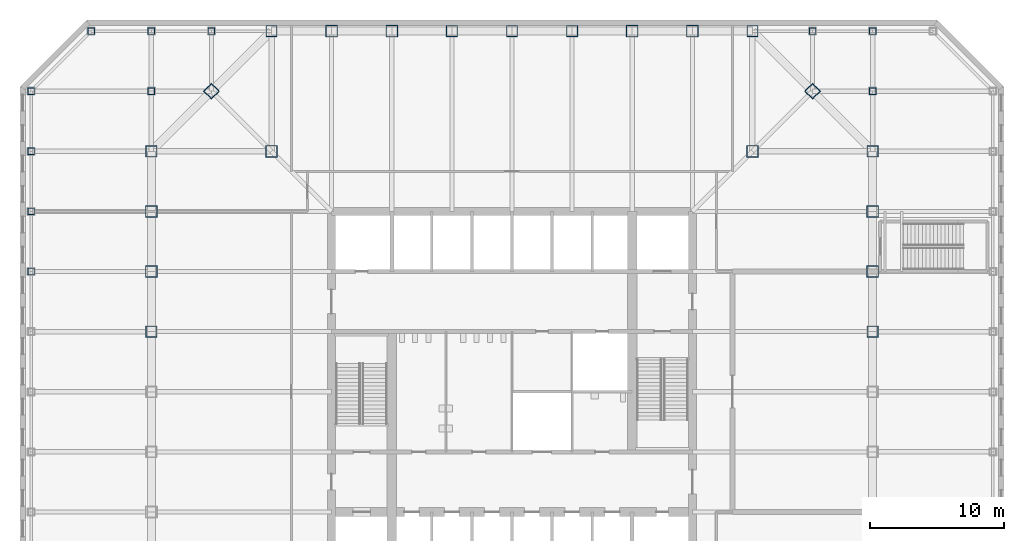
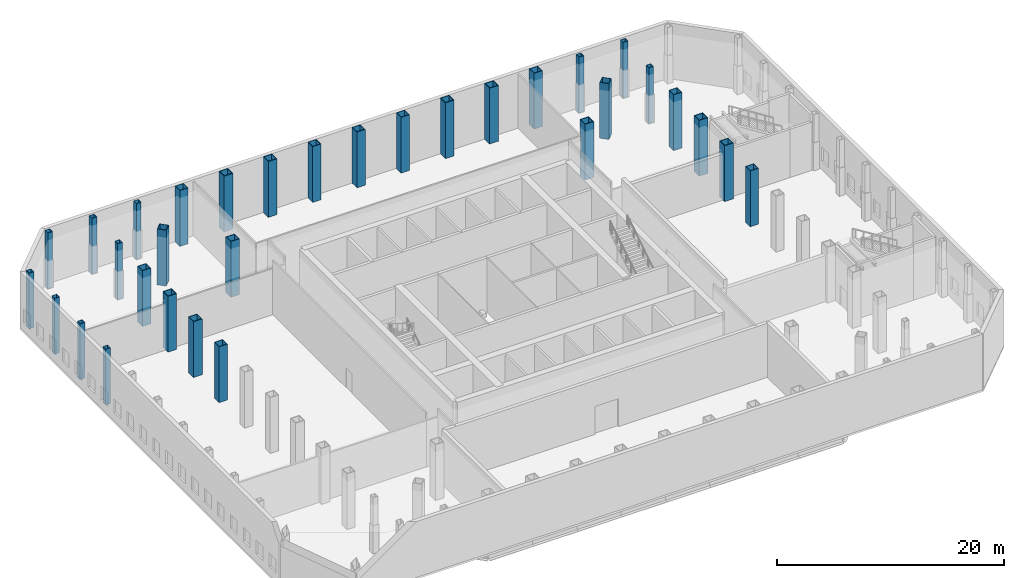
# One storey, part 2 of 13: 32 columns.
"""IFC4 building model written with IfcOpenShell, lengths in metres."""

import ifcopenshell
import ifcopenshell.guid

model = None  # the IFC model being written
_history = None  # IfcOwnerHistory: only IFC2X3 demands one
_inside = {}  # id of a spatial element -> (the spatial element, [elements in it])
_under = {}  # id of a project, library or spatial element -> (it, [spatial elements below it])
_declared = {}  # id of a project -> (the project, [libraries it declares])
_typed = {}  # id of a type object -> (the type object, [elements of that type])
_made_of = {}  # id of a material, layer set ... -> (it, [elements and type objects made of it])


def new_model(schema):
    """Start an empty IFC model of exactly this schema.

    Asked for "IFC4X3", IfcOpenShell would pick the latest addendum, in which some entities
    have other attributes; the version numbers below select the first issue.
    IFC2X3 requires an IfcOwnerHistory on every rooted entity: one is made here for all.
    """
    global model, _history
    if schema == "IFC4X3":
        model = ifcopenshell.file(schema_version=(4, 3, 0, 0))
    else:
        model = ifcopenshell.file(schema=schema)
    _inside.clear()
    _under.clear()
    _declared.clear()
    _typed.clear()
    _made_of.clear()
    _history = None
    if model.schema == "IFC2X3":
        org = make("IfcOrganization", Name="unknown")
        user = make(
            "IfcPersonAndOrganization",
            ThePerson=make("IfcPerson", FamilyName="unknown"),
            TheOrganization=org,
        )
        app = make(
            "IfcApplication",
            ApplicationDeveloper=org,
            Version="unknown",
            ApplicationFullName="unknown",
            ApplicationIdentifier="unknown",
        )
        _history = make(
            "IfcOwnerHistory",
            OwningUser=user,
            OwningApplication=app,
            ChangeAction="ADDED",
            CreationDate=0,
        )
    return model


def make(cls, **values):
    """One entity of the class cls with the attributes given. An attribute that is None is left unset."""
    return model.create_entity(
        cls, **{name: value for name, value in values.items() if value is not None}
    )


def rooted(cls, **values):
    """An entity with a GlobalId (a new one), such as an element, a storey or a relation."""
    return make(cls, GlobalId=ifcopenshell.guid.new(), OwnerHistory=_history, **values)


def si_unit(unit_type, name, prefix=None):
    """IfcSIUnit, for example si_unit("LENGTHUNIT", "METRE", prefix="MILLI")."""
    return make("IfcSIUnit", UnitType=unit_type, Prefix=prefix, Name=name)


def assignment(units):
    """IfcUnitAssignment: the units of a project."""
    return None if units is None else make("IfcUnitAssignment", Units=units)


def point(xyz):
    """IfcCartesianPoint."""
    return None if xyz is None else make("IfcCartesianPoint", Coordinates=xyz)


def direction(xyz):
    """IfcDirection."""
    return None if xyz is None else make("IfcDirection", DirectionRatios=xyz)


def frame(location, z_axis=None, x_axis=None):
    """IfcAxis2Placement3D, a coordinate frame: its origin and axes. An axis left out is left unset."""
    return make(
        "IfcAxis2Placement3D",
        Location=point(location),
        Axis=direction(z_axis),
        RefDirection=direction(x_axis),
    )


def frame_2d(location, x_axis=None):
    """IfcAxis2Placement2D, a coordinate frame in the plane: its origin and x axis."""
    return make(
        "IfcAxis2Placement2D", Location=point(location), RefDirection=direction(x_axis)
    )


def origin():
    """The frame at (0, 0, 0) with its axes left unset."""
    return frame((0.0, 0.0, 0.0))


def origin_2d():
    """The frame at (0, 0) in the plane with its x axis left unset."""
    return frame_2d((0.0, 0.0))


def place(relative_to, where):
    """IfcLocalPlacement: puts the frame where relative to a parent placement (None: the world)."""
    return make(
        "IfcLocalPlacement", PlacementRelTo=relative_to, RelativePlacement=where
    )


def context(
    kind, dimensions, precision=None, world=None, true_north=None, identifier=None
):
    """IfcGeometricRepresentationContext, for example the 3D "Model" context."""
    return make(
        "IfcGeometricRepresentationContext",
        ContextIdentifier=identifier,
        ContextType=kind,
        CoordinateSpaceDimension=dimensions,
        Precision=precision,
        WorldCoordinateSystem=world,
        TrueNorth=true_north,
    )


def subcontext(parent, identifier, kind, view, scale=None):
    """IfcGeometricRepresentationSubContext, for example "Body" below "Model"."""
    return make(
        "IfcGeometricRepresentationSubContext",
        ContextIdentifier=identifier,
        ContextType=kind,
        ParentContext=parent,
        TargetScale=scale,
        TargetView=view,
    )


def project(units=None, contexts=None):
    """IfcProject with its units and contexts."""
    return rooted(
        "IfcProject",
        Name="project",
        RepresentationContexts=contexts,
        UnitsInContext=assignment(units),
    )


def spatial(cls, under=None, at=None, **own):
    """A site, building, storey or space (cls), placed at a placement, below another one or the project."""
    s = rooted(cls, ObjectPlacement=at, **own)
    if under is not None:
        _under.setdefault(under.id(), (under, []))[1].append(s)
    return s


def profile(cls, at=None, kind="AREA", **sizes):
    """A parametric profile (cls). Its sizes go by their IFC names, for example OverallWidth=200.0."""
    return make(cls, ProfileType=kind, Position=at, **sizes)


def hollow_rectangle(**sizes):
    """IfcRectangleHollowProfileDef."""
    return profile("IfcRectangleHollowProfileDef", **sizes)


def extrude(swept, where, along, depth):
    """IfcExtrudedAreaSolid: the profile swept, set in the frame where, extruded along a direction by depth."""
    return make(
        "IfcExtrudedAreaSolid",
        SweptArea=swept,
        Position=where,
        ExtrudedDirection=direction(along),
        Depth=depth,
    )


def shape(context_of_items, identifier, shape_type, items):
    """IfcShapeRepresentation: the items that make up one representation, for example the "Body"."""
    return make(
        "IfcShapeRepresentation",
        ContextOfItems=context_of_items,
        RepresentationIdentifier=identifier,
        RepresentationType=shape_type,
        Items=items,
    )


def material(Name=None, Category=None):
    """IfcMaterial."""
    return make("IfcMaterial", Name=Name, Category=Category)


def material_profile(
    of_material, cross_section, Name=None, Category=None, Priority=None
):
    """IfcMaterialProfile: a cross section and its material."""
    return make(
        "IfcMaterialProfile",
        Name=Name,
        Material=of_material,
        Profile=cross_section,
        Priority=Priority,
        Category=Category,
    )


def profile_set(profiles, Name=None, composite=None):
    """IfcMaterialProfileSet."""
    return make(
        "IfcMaterialProfileSet",
        Name=Name,
        MaterialProfiles=profiles,
        CompositeProfile=composite,
    )


def made_of(thing, what):
    """Note that an element or type object is made of a material, layer set ...; save() writes the relation."""
    if what is not None:
        _made_of.setdefault(what.id(), (what, []))[1].append(thing)
    return thing


def type_object(cls, material=None, **own):
    """A type object (cls), such as IfcWallType, which elements share."""
    return made_of(rooted(cls, **own), material)


def element(
    cls,
    number,
    at=None,
    inside=None,
    cuts=None,
    type_object=None,
    material=None,
    context=None,
    identifier="Body",
    shape_type=None,
    held_by="IfcProductDefinitionShape",
    body=None,
    shapes=None,
    **own,
):
    """One element of the class cls, such as IfcWall. Its Tag is "e" and its number.

    at: its placement. inside: the storey or other place that contains it. cuts: it is an
    opening in that element (IfcRelVoidsElement). A single representation is given by context,
    identifier, shape_type and body (its items); several are given by shapes. held_by: the class
    of the entity that holds the representations. save() writes the other relations.
    """
    e = rooted(cls, Tag="e%d" % number, ObjectPlacement=at, **own)
    if body is not None:
        shapes = [shape(context, identifier, shape_type, body)]
    if shapes is not None:
        e.Representation = make(held_by, Representations=shapes)
    if inside is not None:
        _inside.setdefault(inside.id(), (inside, []))[1].append(e)
    if cuts is not None:
        rooted(
            "IfcRelVoidsElement", RelatingBuildingElement=cuts, RelatedOpeningElement=e
        )
    if type_object is not None:
        _typed.setdefault(type_object.id(), (type_object, []))[1].append(e)
    return made_of(e, material)


def aggregate(whole, parts):
    """IfcRelAggregates: a whole, such as a stair, and the parts it consists of."""
    return rooted("IfcRelAggregates", RelatingObject=whole, RelatedObjects=parts)


def save(model, path):
    """Write the relations noted so far, then the file.

    IfcRelAggregates (storeys below a building ...), IfcRelContainedInSpatialStructure (elements
    in a storey), IfcRelDefinesByType, IfcRelAssociatesMaterial and IfcRelDeclares: one each for
    every whole, place, type object, material and project.
    """
    for whole, parts in _under.values():
        aggregate(whole, parts)
    for where, things in _inside.values():
        rooted(
            "IfcRelContainedInSpatialStructure",
            RelatedElements=things,
            RelatingStructure=where,
        )
    for kind, things in _typed.values():
        rooted("IfcRelDefinesByType", RelatedObjects=things, RelatingType=kind)
    for what, things in _made_of.values():
        rooted("IfcRelAssociatesMaterial", RelatedObjects=things, RelatingMaterial=what)
    for by, libraries in _declared.values():
        rooted("IfcRelDeclares", RelatingContext=by, RelatedDefinitions=libraries)
    model.write(path)


model = new_model("IFC4")

# Units and contexts
model_context = context("Model", 3, precision=1e-05, world=origin(), true_north=direction((0.0, 1.0)))
body_context = subcontext(model_context, "Body", "Model", "MODEL_VIEW")
ifc_project = project(units=[si_unit("LENGTHUNIT", "METRE"), si_unit("AREAUNIT", "SQUARE_METRE"), si_unit("VOLUMEUNIT", "CUBIC_METRE"), si_unit("PLANEANGLEUNIT", "RADIAN"), si_unit("MASSUNIT", "GRAM", prefix="KILO")], contexts=[model_context])

# Site, building, storey
site_placement = place(None, origin())
site = spatial("IfcSite", under=ifc_project, at=site_placement, CompositionType="ELEMENT")
building_placement = place(site_placement, origin())
building = spatial("IfcBuilding", under=site, at=building_placement, Name="Corais Broadcast Tower", CompositionType="ELEMENT")
storey_placement = place(building_placement, frame((0.0, 0.0, 12.0)))
storey = spatial("IfcBuildingStorey", under=building, at=storey_placement, Name="L02", CompositionType="ELEMENT", Elevation=12.0)

# Columns
ifc_material_1 = material(Name="Steel ASTM A572 Grade 50", Category="steel")
ifc_material_profile_1 = material_profile(ifc_material_1, hollow_rectangle(XDim=0.5, YDim=0.5, WallThickness=0.02197265625, at=origin_2d()), Name="BOX 500x500x22")
ifc_profile_set_1 = profile_set([ifc_material_profile_1], Name="Steel ASTM A572 Grade 50")
column_type_1 = type_object("IfcColumnType", Name="Column BOX 500x500x22", PredefinedType="COLUMN", material=ifc_profile_set_1)
for number, where, z_axis, x_axis, name in (
    (1, (-9.0, 36.0, 0.0), (0.0, 0.0, 1.0), (1.0, 0.0, 0.0), "C9 J/1"),
    (2, (-9.0, 40.5, 0.0), (0.0, 0.0, 1.0), (1.0, 0.0, 0.0), "C9 K/1"),
    (3, (-9.0, 45.0, 0.0), (0.0, 0.0, 1.0), (1.0, 0.0, 0.0), "C9 L/1"),
    (4, (-9.0, 49.5, 0.0), (0.0, 0.0, 1.0), (1.0, 0.0, 0.0), "C9 M/1"),
    (5, (-4.5, 54.0, 0.0), (0.0, 0.0, 1.0), (1.0, 0.0, 0.0), "C9 N/2"),
    (6, (54.0, 54.0, 0.0), (0.0, 0.0, 1.0), (1.0, 0.0, 0.0), "C9 N/15"),
    (7, (49.5, 54.0, 0.0), (0.0, 0.0, 1.0), (1.0, 0.0, 0.0), "C9 N/14"),
    (8, (54.0, 49.5, 0.0), (0.0, 0.0, 1.0), (1.0, 0.0, 0.0), "C9 M/15"),
    (9, (0.0, 54.0, 0.0), (0.0, 0.0, 1.0), (1.0, 0.0, 0.0), "C9 N/3"),
    (10, (4.5, 54.0, 0.0), (0.0, 0.0, 1.0), (1.0, 0.0, 0.0), "C9 N/4"),
    (11, (0.0, 49.5, 0.0), (0.0, 0.0, 1.0), (1.0, 0.0, 0.0), "C9 M/3"),
):
    element("IfcColumn", number, at=place(storey_placement, frame(where, z_axis=z_axis, x_axis=x_axis)), inside=storey, type_object=column_type_1, Name=name, PredefinedType="COLUMN", context=body_context, shape_type="SweptSolid", body=[
        extrude(hollow_rectangle(XDim=0.5, YDim=0.5, WallThickness=0.02197265625, at=origin_2d()), origin(), (0.0, 0.0, 1.0), 6.0),
    ])
ifc_material_2 = material(Name="Steel ASTM A572 Grade 50", Category="steel")
ifc_material_profile_2 = material_profile(ifc_material_2, hollow_rectangle(XDim=0.85009765625, YDim=0.85009765625, WallThickness=0.050048828125, at=origin_2d()), Name="BOX 850x850x50")
ifc_profile_set_2 = profile_set([ifc_material_profile_2], Name="Steel ASTM A572 Grade 50")
column_type_2 = type_object("IfcColumnType", Name="Column BOX 850x850x50", PredefinedType="COLUMN", material=ifc_profile_set_2)
for number, where, z_axis, x_axis, name in (
    (12, (54.0, 31.5, 0.0), (0.0, 0.0, 1.0), (1.0, 0.0, 0.0), "C1 H/15"),
    (13, (54.0, 45.0, 0.0), (0.0, 0.0, 1.0), (1.0, 0.0, 0.0), "C1 L/15"),
    (14, (45.0, 54.0, 0.0), (0.0, 0.0, 1.0), (1.0, 0.0, 0.0), "C1 N/13"),
    (15, (31.5, 54.0, 0.0), (0.0, 0.0, 1.0), (1.0, 0.0, 0.0), "C1 N/10"),
    (16, (27.0, 54.0, 0.0), (0.0, 0.0, 1.0), (1.0, 0.0, 0.0), "C1 N/9"),
    (17, (22.5, 54.0, 0.0), (0.0, 0.0, 1.0), (1.0, 0.0, 0.0), "C1 N/8"),
    (18, (9.0, 54.0, 0.0), (0.0, 0.0, 1.0), (1.0, 0.0, 0.0), "C1 N/5"),
    (19, (0.0, 45.0, 0.0), (0.0, 0.0, 1.0), (1.0, 0.0, 0.0), "C1 L/3"),
    (20, (0.0, 31.5, 0.0), (0.0, 0.0, 1.0), (1.0, 0.0, 0.0), "C1 H/3"),
    (21, (49.5, 49.5, 0.0), (0.0, 0.0, 1.0), (0.707106781187, 0.707106781187, 0.0), "C1 M/14"),
    (22, (4.5, 49.5, 0.0), (0.0, 0.0, 1.0), (0.707106781187, 0.707106781187, 0.0), "C1 M/4"),
):
    element("IfcColumn", number, at=place(storey_placement, frame(where, z_axis=z_axis, x_axis=x_axis)), inside=storey, type_object=column_type_2, Name=name, PredefinedType="COLUMN", context=body_context, shape_type="SweptSolid", body=[
        extrude(hollow_rectangle(XDim=0.85009765625, YDim=0.85009765625, WallThickness=0.050048828125, at=origin_2d()), origin(), (0.0, 0.0, 1.0), 6.0),
    ])
ifc_material_3 = material(Name="Steel ASTM A572 Grade 50", Category="steel")
ifc_material_profile_3 = material_profile(ifc_material_3, hollow_rectangle(XDim=0.89990234375, YDim=0.89990234375, WallThickness=0.06298828125, at=origin_2d()), Name="BOX 900x900x63")
ifc_profile_set_3 = profile_set([ifc_material_profile_3], Name="Steel ASTM A572 Grade 50")
column_type_3 = type_object("IfcColumnType", Name="Column BOX 900x900x63", PredefinedType="COLUMN", material=ifc_profile_set_3)
for number, where, z_axis, x_axis, name in (
    (23, (54.0, 36.0, 0.0), (0.0, 0.0, 1.0), (1.0, 0.0, 0.0), "C2 J/15"),
    (24, (54.0, 40.5, 0.0), (0.0, 0.0, 1.0), (1.0, 0.0, 0.0), "C2 K/15"),
    (25, (40.5, 54.0, 0.0), (0.0, 0.0, 1.0), (1.0, 0.0, 0.0), "C2 N/12"),
    (26, (36.0, 54.0, 0.0), (0.0, 0.0, 1.0), (1.0, 0.0, 0.0), "C2 N/11"),
    (27, (18.0, 54.0, 0.0), (0.0, 0.0, 1.0), (1.0, 0.0, 0.0), "C2 N/7"),
    (28, (13.5, 54.0, 0.0), (0.0, 0.0, 1.0), (1.0, 0.0, 0.0), "C2 N/6"),
    (29, (0.0, 40.5, 0.0), (0.0, 0.0, 1.0), (1.0, 0.0, 0.0), "C2 K/3"),
    (30, (0.0, 36.0, 0.0), (0.0, 0.0, 1.0), (1.0, 0.0, 0.0), "C2 J/3"),
    (31, (45.0, 45.0, 0.0), (0.0, 0.0, 1.0), (1.0, 0.0, 0.0), "C2 L/13"),
    (32, (9.0, 45.0, 0.0), (0.0, 0.0, 1.0), (1.0, 0.0, 0.0), "C2 L/5"),
):
    element("IfcColumn", number, at=place(storey_placement, frame(where, z_axis=z_axis, x_axis=x_axis)), inside=storey, type_object=column_type_3, Name=name, PredefinedType="COLUMN", context=body_context, shape_type="SweptSolid", body=[
        extrude(hollow_rectangle(XDim=0.89990234375, YDim=0.89990234375, WallThickness=0.06298828125, at=origin_2d()), origin(), (0.0, 0.0, 1.0), 6.0),
    ])

save(model, "model.ifc")
